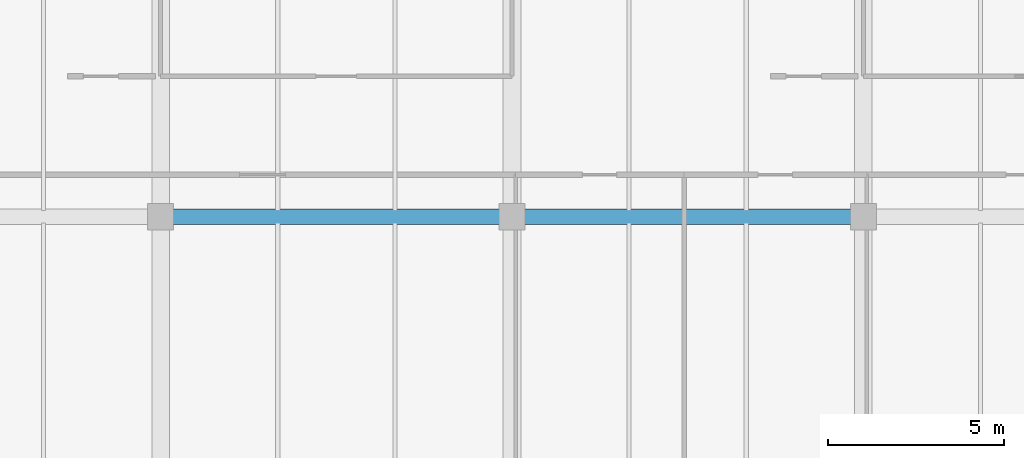
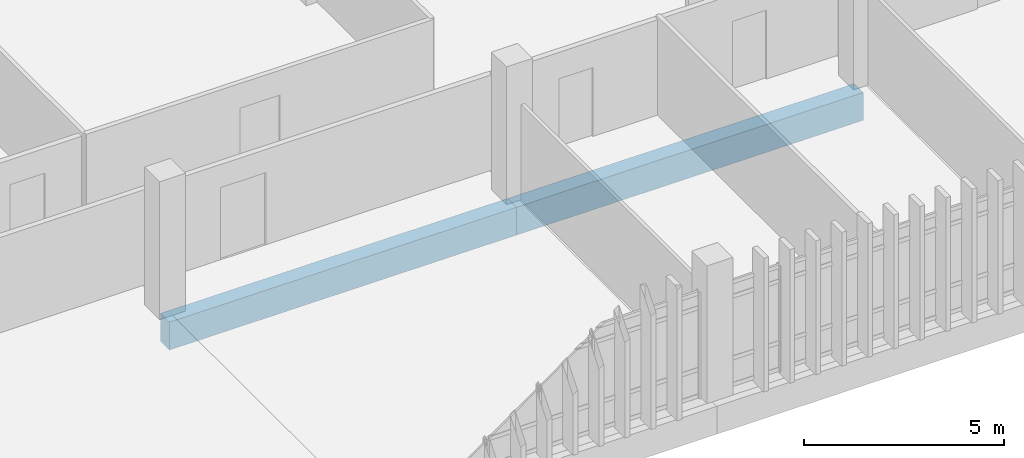
# One storey, part 45 of 111: 2 beams.
"""IFC4 building model written with IfcOpenShell, lengths in metres."""

from ifc_helpers import new_model, si_unit, direction, frame, origin, origin_2d, place, context, subcontext, project, spatial, rectangle, extrude, material, material_profile, profile_set, type_object, element, save


model = new_model("IFC4")

# Units and contexts
model_context = context("Model", 3, precision=1e-05, world=origin(), true_north=direction((0.0, 1.0)))
body_context = subcontext(model_context, "Body", "Model", "MODEL_VIEW")
ifc_project = project(units=[si_unit("LENGTHUNIT", "METRE"), si_unit("AREAUNIT", "SQUARE_METRE"), si_unit("VOLUMEUNIT", "CUBIC_METRE"), si_unit("PLANEANGLEUNIT", "RADIAN"), si_unit("MASSUNIT", "GRAM", prefix="KILO")], contexts=[model_context])

# Site, building, storey
site_placement = place(None, origin())
site = spatial("IfcSite", under=ifc_project, at=site_placement, CompositionType="ELEMENT")
building_placement = place(site_placement, origin())
building = spatial("IfcBuilding", under=site, at=building_placement, Name="Mersad Railyard Sports Hall", CompositionType="ELEMENT")
storey_placement = place(building_placement, frame((0.0, 0.0, 9.0)))
storey = spatial("IfcBuildingStorey", under=building, at=storey_placement, Name="L02", CompositionType="ELEMENT", Elevation=9.0)

# Beams
ifc_material = material(Name="Concrete C40/50", Category="concrete")
ifc_material_profile = material_profile(ifc_material, rectangle(XDim=0.449951171875, YDim=0.85009765625, at=origin_2d()), Name="RC 450x850")
ifc_profile_set = profile_set([ifc_material_profile], Name="Concrete C40/50")
beam_type = type_object("IfcBeamType", Name="STR-BM-B02", PredefinedType="BEAM", material=ifc_profile_set)
for number, where, z_axis, x_axis, name in (
    (1, (101.0, 95.0, -0.72509765625), (1.0, 0.0, 0.0), (0.0, 1.0, 0.0), "Beam B02-1078"),
    (2, (111.0, 95.0, -0.72509765625), (1.0, 0.0, 0.0), (0.0, 1.0, 0.0), "Beam B02-1079"),
):
    element("IfcBeam", number, at=place(storey_placement, frame(where, z_axis=z_axis, x_axis=x_axis)), inside=storey, type_object=beam_type, Name=name, PredefinedType="BEAM", context=body_context, shape_type="SweptSolid", body=[
        extrude(rectangle(XDim=0.449951171875, YDim=0.85009765625, at=origin_2d()), origin(), (0.0, 0.0, 1.0), 10.0),
    ])

save(model, "model.ifc")
